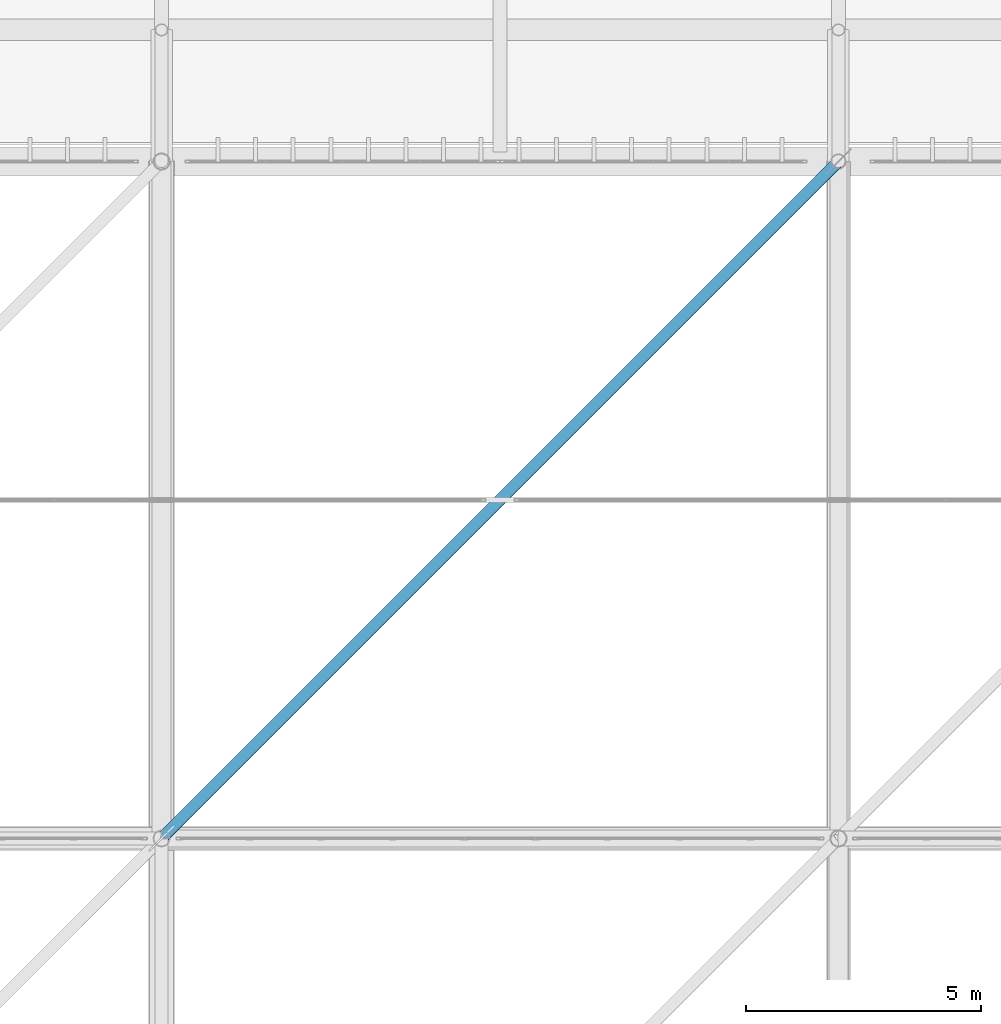
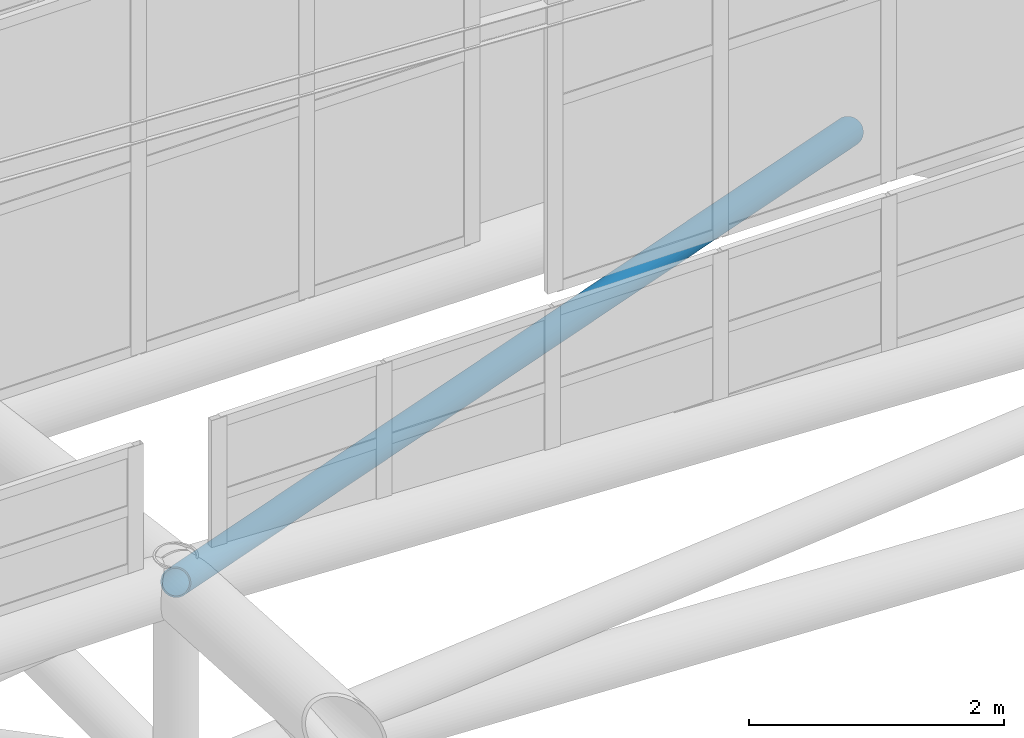
# One storey, part 307 of 397: 1 member.
"""IFC4 building model written with IfcOpenShell, lengths in metres."""

import ifcopenshell
import ifcopenshell.guid

model = None  # the IFC model being written
_history = None  # IfcOwnerHistory: only IFC2X3 demands one
_inside = {}  # id of a spatial element -> (the spatial element, [elements in it])
_under = {}  # id of a project, library or spatial element -> (it, [spatial elements below it])
_declared = {}  # id of a project -> (the project, [libraries it declares])
_typed = {}  # id of a type object -> (the type object, [elements of that type])
_made_of = {}  # id of a material, layer set ... -> (it, [elements and type objects made of it])


def new_model(schema):
    """Start an empty IFC model of exactly this schema.

    Asked for "IFC4X3", IfcOpenShell would pick the latest addendum, in which some entities
    have other attributes; the version numbers below select the first issue.
    IFC2X3 requires an IfcOwnerHistory on every rooted entity: one is made here for all.
    """
    global model, _history
    if schema == "IFC4X3":
        model = ifcopenshell.file(schema_version=(4, 3, 0, 0))
    else:
        model = ifcopenshell.file(schema=schema)
    _inside.clear()
    _under.clear()
    _declared.clear()
    _typed.clear()
    _made_of.clear()
    _history = None
    if model.schema == "IFC2X3":
        org = make("IfcOrganization", Name="unknown")
        user = make(
            "IfcPersonAndOrganization",
            ThePerson=make("IfcPerson", FamilyName="unknown"),
            TheOrganization=org,
        )
        app = make(
            "IfcApplication",
            ApplicationDeveloper=org,
            Version="unknown",
            ApplicationFullName="unknown",
            ApplicationIdentifier="unknown",
        )
        _history = make(
            "IfcOwnerHistory",
            OwningUser=user,
            OwningApplication=app,
            ChangeAction="ADDED",
            CreationDate=0,
        )
    return model


def make(cls, **values):
    """One entity of the class cls with the attributes given. An attribute that is None is left unset."""
    return model.create_entity(
        cls, **{name: value for name, value in values.items() if value is not None}
    )


def rooted(cls, **values):
    """An entity with a GlobalId (a new one), such as an element, a storey or a relation."""
    return make(cls, GlobalId=ifcopenshell.guid.new(), OwnerHistory=_history, **values)


def si_unit(unit_type, name, prefix=None):
    """IfcSIUnit, for example si_unit("LENGTHUNIT", "METRE", prefix="MILLI")."""
    return make("IfcSIUnit", UnitType=unit_type, Prefix=prefix, Name=name)


def assignment(units):
    """IfcUnitAssignment: the units of a project."""
    return None if units is None else make("IfcUnitAssignment", Units=units)


def point(xyz):
    """IfcCartesianPoint."""
    return None if xyz is None else make("IfcCartesianPoint", Coordinates=xyz)


def direction(xyz):
    """IfcDirection."""
    return None if xyz is None else make("IfcDirection", DirectionRatios=xyz)


def frame(location, z_axis=None, x_axis=None):
    """IfcAxis2Placement3D, a coordinate frame: its origin and axes. An axis left out is left unset."""
    return make(
        "IfcAxis2Placement3D",
        Location=point(location),
        Axis=direction(z_axis),
        RefDirection=direction(x_axis),
    )


def frame_2d(location, x_axis=None):
    """IfcAxis2Placement2D, a coordinate frame in the plane: its origin and x axis."""
    return make(
        "IfcAxis2Placement2D", Location=point(location), RefDirection=direction(x_axis)
    )


def origin():
    """The frame at (0, 0, 0) with its axes left unset."""
    return frame((0.0, 0.0, 0.0))


def origin_2d():
    """The frame at (0, 0) in the plane with its x axis left unset."""
    return frame_2d((0.0, 0.0))


def place(relative_to, where):
    """IfcLocalPlacement: puts the frame where relative to a parent placement (None: the world)."""
    return make(
        "IfcLocalPlacement", PlacementRelTo=relative_to, RelativePlacement=where
    )


def context(
    kind, dimensions, precision=None, world=None, true_north=None, identifier=None
):
    """IfcGeometricRepresentationContext, for example the 3D "Model" context."""
    return make(
        "IfcGeometricRepresentationContext",
        ContextIdentifier=identifier,
        ContextType=kind,
        CoordinateSpaceDimension=dimensions,
        Precision=precision,
        WorldCoordinateSystem=world,
        TrueNorth=true_north,
    )


def subcontext(parent, identifier, kind, view, scale=None):
    """IfcGeometricRepresentationSubContext, for example "Body" below "Model"."""
    return make(
        "IfcGeometricRepresentationSubContext",
        ContextIdentifier=identifier,
        ContextType=kind,
        ParentContext=parent,
        TargetScale=scale,
        TargetView=view,
    )


def project(units=None, contexts=None):
    """IfcProject with its units and contexts."""
    return rooted(
        "IfcProject",
        Name="project",
        RepresentationContexts=contexts,
        UnitsInContext=assignment(units),
    )


def spatial(cls, under=None, at=None, **own):
    """A site, building, storey or space (cls), placed at a placement, below another one or the project."""
    s = rooted(cls, ObjectPlacement=at, **own)
    if under is not None:
        _under.setdefault(under.id(), (under, []))[1].append(s)
    return s


def profile(cls, at=None, kind="AREA", **sizes):
    """A parametric profile (cls). Its sizes go by their IFC names, for example OverallWidth=200.0."""
    return make(cls, ProfileType=kind, Position=at, **sizes)


def hollow_circle(**sizes):
    """IfcCircleHollowProfileDef."""
    return profile("IfcCircleHollowProfileDef", **sizes)


def extrude(swept, where, along, depth):
    """IfcExtrudedAreaSolid: the profile swept, set in the frame where, extruded along a direction by depth."""
    return make(
        "IfcExtrudedAreaSolid",
        SweptArea=swept,
        Position=where,
        ExtrudedDirection=direction(along),
        Depth=depth,
    )


def shape(context_of_items, identifier, shape_type, items):
    """IfcShapeRepresentation: the items that make up one representation, for example the "Body"."""
    return make(
        "IfcShapeRepresentation",
        ContextOfItems=context_of_items,
        RepresentationIdentifier=identifier,
        RepresentationType=shape_type,
        Items=items,
    )


def material(Name=None, Category=None):
    """IfcMaterial."""
    return make("IfcMaterial", Name=Name, Category=Category)


def material_profile(
    of_material, cross_section, Name=None, Category=None, Priority=None
):
    """IfcMaterialProfile: a cross section and its material."""
    return make(
        "IfcMaterialProfile",
        Name=Name,
        Material=of_material,
        Profile=cross_section,
        Priority=Priority,
        Category=Category,
    )


def profile_set(profiles, Name=None, composite=None):
    """IfcMaterialProfileSet."""
    return make(
        "IfcMaterialProfileSet",
        Name=Name,
        MaterialProfiles=profiles,
        CompositeProfile=composite,
    )


def made_of(thing, what):
    """Note that an element or type object is made of a material, layer set ...; save() writes the relation."""
    if what is not None:
        _made_of.setdefault(what.id(), (what, []))[1].append(thing)
    return thing


def type_object(cls, material=None, **own):
    """A type object (cls), such as IfcWallType, which elements share."""
    return made_of(rooted(cls, **own), material)


def element(
    cls,
    number,
    at=None,
    inside=None,
    cuts=None,
    type_object=None,
    material=None,
    context=None,
    identifier="Body",
    shape_type=None,
    held_by="IfcProductDefinitionShape",
    body=None,
    shapes=None,
    **own,
):
    """One element of the class cls, such as IfcWall. Its Tag is "e" and its number.

    at: its placement. inside: the storey or other place that contains it. cuts: it is an
    opening in that element (IfcRelVoidsElement). A single representation is given by context,
    identifier, shape_type and body (its items); several are given by shapes. held_by: the class
    of the entity that holds the representations. save() writes the other relations.
    """
    e = rooted(cls, Tag="e%d" % number, ObjectPlacement=at, **own)
    if body is not None:
        shapes = [shape(context, identifier, shape_type, body)]
    if shapes is not None:
        e.Representation = make(held_by, Representations=shapes)
    if inside is not None:
        _inside.setdefault(inside.id(), (inside, []))[1].append(e)
    if cuts is not None:
        rooted(
            "IfcRelVoidsElement", RelatingBuildingElement=cuts, RelatedOpeningElement=e
        )
    if type_object is not None:
        _typed.setdefault(type_object.id(), (type_object, []))[1].append(e)
    return made_of(e, material)


def aggregate(whole, parts):
    """IfcRelAggregates: a whole, such as a stair, and the parts it consists of."""
    return rooted("IfcRelAggregates", RelatingObject=whole, RelatedObjects=parts)


def save(model, path):
    """Write the relations noted so far, then the file.

    IfcRelAggregates (storeys below a building ...), IfcRelContainedInSpatialStructure (elements
    in a storey), IfcRelDefinesByType, IfcRelAssociatesMaterial and IfcRelDeclares: one each for
    every whole, place, type object, material and project.
    """
    for whole, parts in _under.values():
        aggregate(whole, parts)
    for where, things in _inside.values():
        rooted(
            "IfcRelContainedInSpatialStructure",
            RelatedElements=things,
            RelatingStructure=where,
        )
    for kind, things in _typed.values():
        rooted("IfcRelDefinesByType", RelatedObjects=things, RelatingType=kind)
    for what, things in _made_of.values():
        rooted("IfcRelAssociatesMaterial", RelatedObjects=things, RelatingMaterial=what)
    for by, libraries in _declared.values():
        rooted("IfcRelDeclares", RelatingContext=by, RelatedDefinitions=libraries)
    model.write(path)


model = new_model("IFC4")

# Units and contexts
model_context = context("Model", 3, precision=1e-05, world=origin(), true_north=direction((0.0, 1.0)))
body_context = subcontext(model_context, "Body", "Model", "MODEL_VIEW")
ifc_project = project(units=[si_unit("LENGTHUNIT", "METRE"), si_unit("AREAUNIT", "SQUARE_METRE"), si_unit("VOLUMEUNIT", "CUBIC_METRE"), si_unit("PLANEANGLEUNIT", "RADIAN"), si_unit("MASSUNIT", "GRAM", prefix="KILO")], contexts=[model_context])

# Site, building, storey
site_placement = place(None, origin())
site = spatial("IfcSite", under=ifc_project, at=site_placement, CompositionType="ELEMENT")
building_placement = place(site_placement, origin())
building = spatial("IfcBuilding", under=site, at=building_placement, Name="Qandorah Velis Arena", CompositionType="ELEMENT")
storey_placement = place(building_placement, frame((0.0, 0.0, 27.5)))
storey = spatial("IfcBuildingStorey", under=building, at=storey_placement, Name="RF", CompositionType="ELEMENT", Elevation=27.5)

# Member
ifc_material = material(Name="Steel S355", Category="steel")
ifc_material_profile = material_profile(ifc_material, hollow_circle(Radius=0.122314453125, WallThickness=0.012451171875, at=origin_2d()), Name="CHS 244.5x12.5")
ifc_profile_set = profile_set([ifc_material_profile], Name="Steel S355")
member_type = type_object("IfcMemberType", Name="STR-SFD-CHS244X12", PredefinedType="STRUT", material=ifc_profile_set)
member_placement = place(storey_placement, frame((86.39990234375, 115.199951171875, 0.10009765625), z_axis=(-0.641253881807, -0.641253881807, 0.421410628882), x_axis=(0.707106781187, -0.707106781187, 0.0)))
element("IfcMember", 1, at=member_placement, inside=storey, type_object=member_type, Name="Space frame roof spatial diagonal 4.6", PredefinedType="STRUT", context=body_context, shape_type="SweptSolid", body=[
    extrude(hollow_circle(Radius=0.122314453125, WallThickness=0.012451171875, at=origin_2d()), origin(), (0.0, 0.0, 1.0), 22.455810546875),
])

save(model, "model.ifc")
